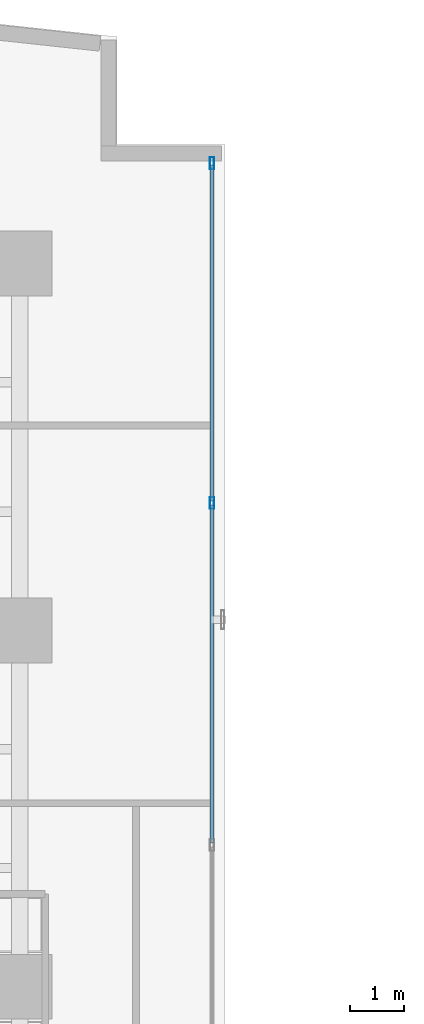
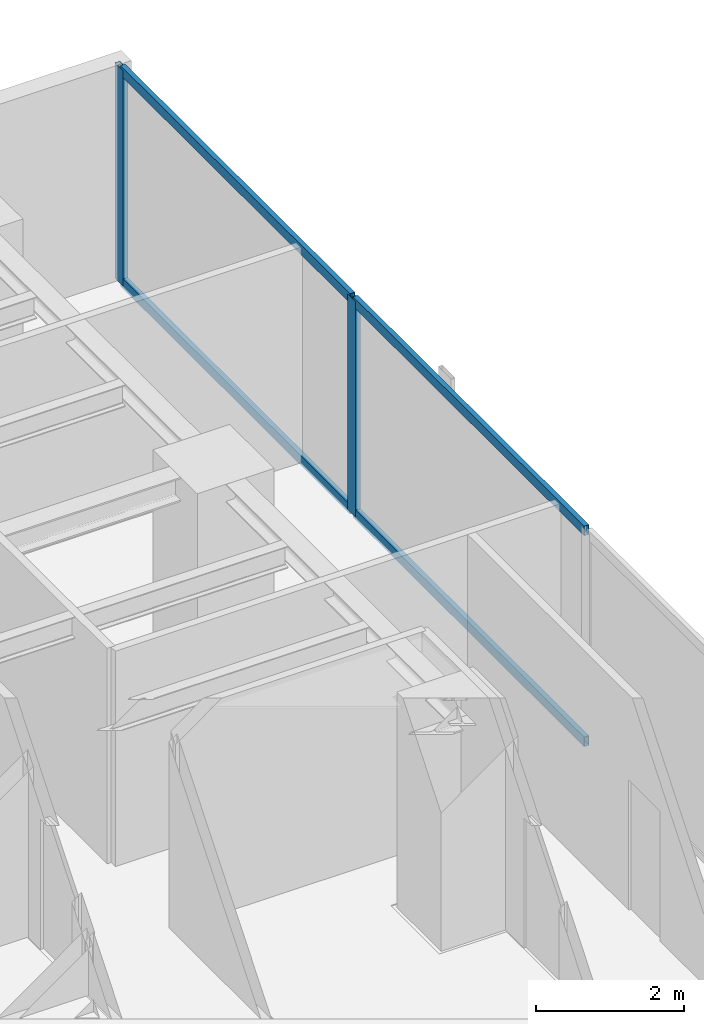
# One storey, part 18 of 27: 6 members, 1 element without a shape of its own.
"""IFC4 building model written with IfcOpenShell, lengths in metres."""

from ifc_helpers import new_model, si_unit, direction, frame, origin, origin_with_axes, origin_2d, place, context, subcontext, project, spatial, hollow_rectangle, extrude, source, transform, mapped, material, layer, layer_set, material_profile, profile_set, type_object, element, aggregate, save


model = new_model("IFC4")

# Units and contexts
model_context = context("Model", 3, precision=1e-05, world=origin(), true_north=direction((0.0, 1.0)))
body_context = subcontext(model_context, "Body", "Model", "MODEL_VIEW")
ifc_project = project(units=[si_unit("LENGTHUNIT", "METRE"), si_unit("AREAUNIT", "SQUARE_METRE"), si_unit("VOLUMEUNIT", "CUBIC_METRE"), si_unit("PLANEANGLEUNIT", "RADIAN"), si_unit("MASSUNIT", "GRAM", prefix="KILO")], contexts=[model_context])

# Site, building, storey
site_placement = place(None, origin())
site = spatial("IfcSite", under=ifc_project, at=site_placement, CompositionType="ELEMENT")
building_placement = place(site_placement, origin())
building = spatial("IfcBuilding", under=site, at=building_placement, Name="Kolvaren Waterfront Exchange", CompositionType="ELEMENT")
storey_placement = place(building_placement, frame((0.0, 0.0, 191.800048828125)))
storey = spatial("IfcBuildingStorey", under=building, at=storey_placement, Name="L49", CompositionType="ELEMENT", Elevation=191.800048828125)

# Curtain wall, members
ifc_material_1 = material(Name="Anodised bronze aluminium 6063-T6", Category="aluminium")
ifc_layer = layer(ifc_material_1, 0.219970703125, Name="Anodised bronze aluminium 6063-T6")
ifc_layer_set = layer_set([ifc_layer], Name="Anodised bronze aluminium 6063-T6")
curtain_wall_type = type_object("IfcCurtainWallType", Name="ARC-CW-SYS1", PredefinedType="USERDEFINED", material=ifc_layer_set)
curtain_wall_placement = place(storey_placement, origin())
curtain_wall = element("IfcCurtainWall", 1, at=curtain_wall_placement, inside=storey, type_object=curtain_wall_type, Name="L49 stick curtain wall CW1 (CW-L49-NE)", ObjectType="STICK CURTAIN WALL", PredefinedType="USERDEFINED")
ifc_material_2 = material(Name="Anodised aluminium 6063-T6", Category="aluminium")
ifc_material_profile_1 = material_profile(ifc_material_2, hollow_rectangle(XDim=0.080078125, YDim=0.219970703125, WallThickness=0.0048828125, at=origin_2d()), Name="ALU-MUL-220x80x5")
ifc_profile_set_1 = profile_set([ifc_material_profile_1], Name="Anodised aluminium 6063-T6")
member_type_1 = type_object("IfcMemberType", Name="ARC-CWM-220", PredefinedType="MULLION", material=ifc_profile_set_1)
shared_shape_1 = source(origin_with_axes(), body_context, "Body", "SweptSolid", [
    extrude(hollow_rectangle(XDim=0.080078125, YDim=0.219970703125, WallThickness=0.0048828125, at=origin_2d()), origin(), (0.0, 0.0, 1.0), 3.56005859375),
])
member_1_placement = place(storey_placement, frame((22.360107421875, 40.163330078125, 0.0), z_axis=(0.0, 0.0, 1.0), x_axis=(-1.0, 0.0, 0.0)))
member_1 = element("IfcMember", 2, at=member_1_placement, type_object=member_type_1, Name="CW1 mullion 3", PredefinedType="MULLION", context=body_context, shape_type="MappedRepresentation", body=[
    mapped(shared_shape_1, transform((0.0, 0.0, 0.0), x_axis=(1.0, 0.0, 0.0), y_axis=(0.0, 1.0, 0.0), z_axis=(0.0, 0.0, 1.0), scale=1.0)),
])
member_2_placement = place(storey_placement, frame((22.360107421875, 46.4599609375, 0.0), z_axis=(0.0, 0.0, 1.0), x_axis=(-1.0, 0.0, 0.0)))
member_2 = element("IfcMember", 3, at=member_2_placement, type_object=member_type_1, Name="CW1 mullion 4", PredefinedType="MULLION", context=body_context, shape_type="MappedRepresentation", body=[
    mapped(shared_shape_1, transform((0.0, 0.0, 0.0), x_axis=(1.0, 0.0, 0.0), y_axis=(0.0, 1.0, 0.0), z_axis=(0.0, 0.0, 1.0), scale=1.0)),
])
ifc_material_profile_2 = material_profile(ifc_material_2, hollow_rectangle(XDim=0.074951171875, YDim=0.159912109375, WallThickness=0.00439453125, at=origin_2d()), Name="ALU-TRN-160x75x4.5")
ifc_profile_set_2 = profile_set([ifc_material_profile_2], Name="Anodised aluminium 6063-T6")
member_type_2 = type_object("IfcMemberType", Name="ARC-CWT-160", PredefinedType="USERDEFINED", material=ifc_profile_set_2)
shared_shape_2 = source(origin_with_axes(), body_context, "Body", "SweptSolid", [
    extrude(hollow_rectangle(XDim=0.074951171875, YDim=0.159912109375, WallThickness=0.00439453125, at=origin_2d()), origin(), (0.0, 0.0, 1.0), 6.216552734375),
])
member_3_placement = place(storey_placement, frame((22.360107421875, 40.203369140625, 0.037353515625), z_axis=(0.0, 1.0, 0.0), x_axis=(-1.0, 0.0, 0.0)))
member_3 = element("IfcMember", 4, at=member_3_placement, type_object=member_type_2, Name="CW1 transom 3.1", ObjectType="TRANSOM", PredefinedType="USERDEFINED", context=body_context, shape_type="MappedRepresentation", body=[
    mapped(shared_shape_2, transform((0.0, 0.0, 0.0), x_axis=(1.0, 0.0, 0.0), y_axis=(0.0, 1.0, 0.0), z_axis=(0.0, 0.0, 1.0), scale=1.0)),
])
member_4_placement = place(storey_placement, frame((22.360107421875, 40.203369140625, 3.5224609375), z_axis=(0.0, 1.0, 0.0), x_axis=(-1.0, 0.0, 0.0)))
member_4 = element("IfcMember", 5, at=member_4_placement, type_object=member_type_2, Name="CW1 transom 3.2", ObjectType="TRANSOM", PredefinedType="USERDEFINED", context=body_context, shape_type="MappedRepresentation", body=[
    mapped(shared_shape_2, transform((0.0, 0.0, 0.0), x_axis=(1.0, 0.0, 0.0), y_axis=(0.0, 1.0, 0.0), z_axis=(0.0, 0.0, 1.0), scale=1.0)),
])
shared_shape_3 = source(origin_with_axes(), body_context, "Body", "SweptSolid", [
    extrude(hollow_rectangle(XDim=0.074951171875, YDim=0.159912109375, WallThickness=0.00439453125, at=origin_2d()), origin(), (0.0, 0.0, 1.0), 6.256591796875),
])
member_5_placement = place(storey_placement, frame((22.360107421875, 33.86669921875, 0.037353515625), z_axis=(0.0, 1.0, 0.0), x_axis=(-1.0, 0.0, 0.0)))
member_5 = element("IfcMember", 6, at=member_5_placement, type_object=member_type_2, Name="CW1 transom 2.1", ObjectType="TRANSOM", PredefinedType="USERDEFINED", context=body_context, shape_type="MappedRepresentation", body=[
    mapped(shared_shape_3, transform((0.0, 0.0, 0.0), x_axis=(1.0, 0.0, 0.0), y_axis=(0.0, 1.0, 0.0), z_axis=(0.0, 0.0, 1.0), scale=1.0)),
])
member_6_placement = place(storey_placement, frame((22.360107421875, 33.86669921875, 3.5224609375), z_axis=(0.0, 1.0, 0.0), x_axis=(-1.0, 0.0, 0.0)))
member_6 = element("IfcMember", 7, at=member_6_placement, type_object=member_type_2, Name="CW1 transom 2.2", ObjectType="TRANSOM", PredefinedType="USERDEFINED", context=body_context, shape_type="MappedRepresentation", body=[
    mapped(shared_shape_3, transform((0.0, 0.0, 0.0), x_axis=(1.0, 0.0, 0.0), y_axis=(0.0, 1.0, 0.0), z_axis=(0.0, 0.0, 1.0), scale=1.0)),
])
aggregate(curtain_wall, [member_1, member_2, member_5, member_6, member_3, member_4])

save(model, "model.ifc")
